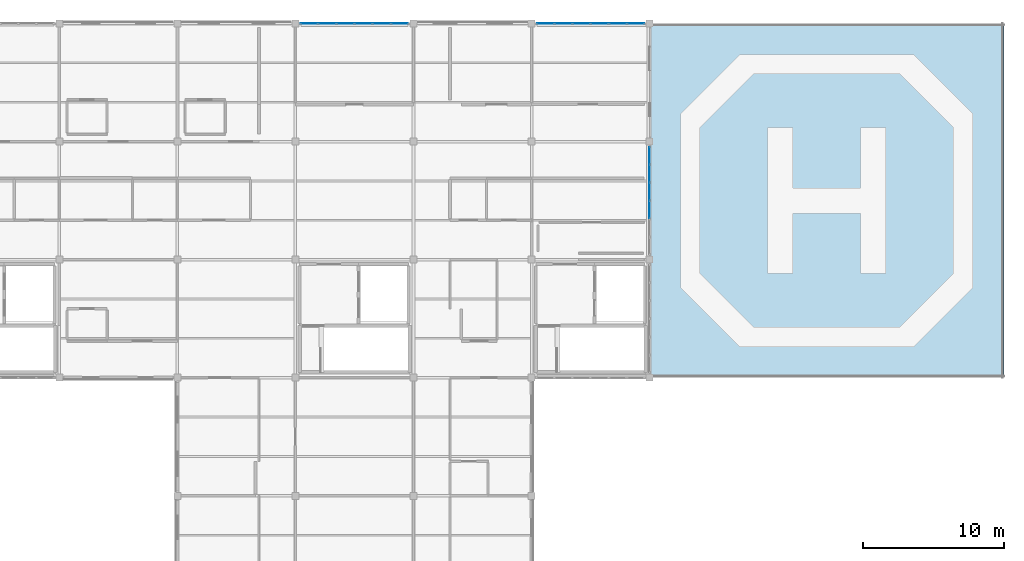
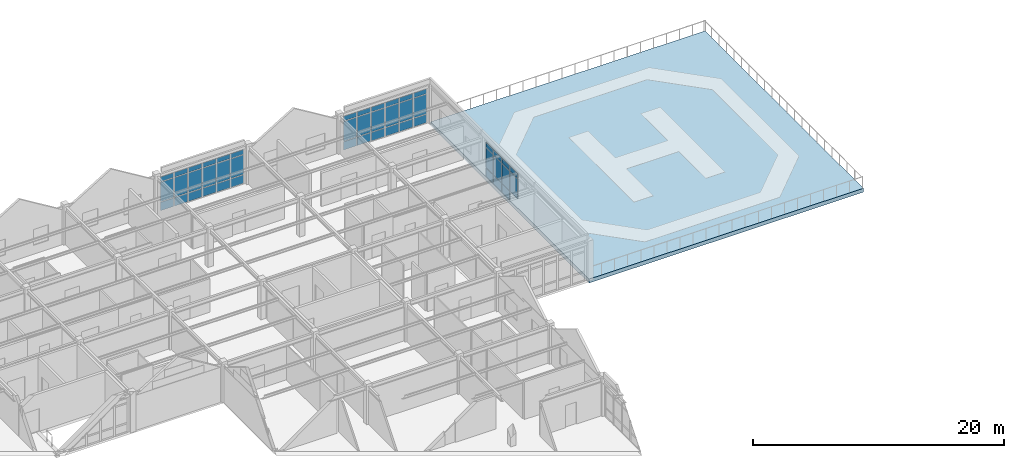
# One storey, part 31 of 45: 47 plates, 1 slab, 3 elements without a shape of their own.
"""IFC4 building model written with IfcOpenShell, lengths in metres."""

from ifc_helpers import new_model, si_unit, direction, frame, origin, origin_2d, place, context, subcontext, project, spatial, polyline, rectangle, outline, extrude, material, layer, layer_set, type_object, element, aggregate, save


model = new_model("IFC4")

# Units and contexts
model_context = context("Model", 3, precision=1e-05, world=origin(), true_north=direction((0.0, 1.0)))
body_context = subcontext(model_context, "Body", "Model", "MODEL_VIEW")
ifc_project = project(units=[si_unit("LENGTHUNIT", "METRE"), si_unit("AREAUNIT", "SQUARE_METRE"), si_unit("VOLUMEUNIT", "CUBIC_METRE"), si_unit("PLANEANGLEUNIT", "RADIAN"), si_unit("MASSUNIT", "GRAM", prefix="KILO")], contexts=[model_context])

# Site, building, storey
site_placement = place(None, origin())
site = spatial("IfcSite", under=ifc_project, at=site_placement, CompositionType="ELEMENT")
building_placement = place(site_placement, origin())
building = spatial("IfcBuilding", under=site, at=building_placement, Name="Bramfleet General Hospital", CompositionType="ELEMENT")
storey_placement = place(building_placement, frame((0.0, 0.0, 30.300048828125)))
storey = spatial("IfcBuildingStorey", under=building, at=storey_placement, Name="L07", CompositionType="ELEMENT", Elevation=30.300048828125)

# Curtain wall, plates
ifc_material_1 = material(Name="Anodised aluminium and low-E triple glazing", Category="aluminium")
ifc_layer_1 = layer(ifc_material_1, 0.179931640625, Name="CWT-CW-09")
ifc_layer_set_1 = layer_set([ifc_layer_1], Name="Anodised aluminium and low-E triple glazing")
curtain_wall_type_1 = type_object("IfcCurtainWallType", Name="CWT-CW-09", PredefinedType="USERDEFINED", material=ifc_layer_set_1)
curtain_wall_1_placement = place(storey_placement, origin())
curtain_wall_1 = element("IfcCurtainWall", 1, at=curtain_wall_1_placement, inside=storey, type_object=curtain_wall_type_1, Name="L07 Curtain Wall 225", ObjectType="Unitised curtain wall", PredefinedType="USERDEFINED")
ifc_material_2 = material(Name="Low-E laminated safety glass", Category="glass")
ifc_layer_2 = layer(ifc_material_2, 0.028076171875, Name="CWP-GLZ-1")
ifc_layer_set_2 = layer_set([ifc_layer_2], Name="Low-E laminated safety glass")
plate_type_1 = type_object("IfcPlateType", Name="CWP-GLZ-1", PredefinedType="CURTAIN_PANEL", material=ifc_layer_set_2)
plate_1_placement = place(storey_placement, frame((101.788330078125, 117.60009765625, 0.06494140625), z_axis=(0.0, 0.0, 1.0), x_axis=(1.0, 0.0, 0.0)))
plate_1 = element("IfcPlate", 2, at=plate_1_placement, type_object=plate_type_1, Name="CW-09 panel 1.1", PredefinedType="CURTAIN_PANEL", context=body_context, shape_type="SweptSolid", body=[
    extrude(rectangle(XDim=1.186767578125, YDim=0.028076171875, at=origin_2d()), origin(), (0.0, 0.0, 1.0), 0.802490234375),
])
plate_2_placement = place(storey_placement, frame((101.788330078125, 117.60009765625, 0.9326171875), z_axis=(0.0, 0.0, 1.0), x_axis=(1.0, 0.0, 0.0)))
plate_2 = element("IfcPlate", 3, at=plate_2_placement, type_object=plate_type_1, Name="CW-09 panel 1.2", PredefinedType="CURTAIN_PANEL", context=body_context, shape_type="SweptSolid", body=[
    extrude(rectangle(XDim=1.186767578125, YDim=0.028076171875, at=origin_2d()), origin(), (0.0, 0.0, 1.0), 1.885009765625),
])
plate_3_placement = place(storey_placement, frame((101.788330078125, 117.60009765625, 2.88232421875), z_axis=(0.0, 0.0, 1.0), x_axis=(1.0, 0.0, 0.0)))
plate_3 = element("IfcPlate", 4, at=plate_3_placement, type_object=plate_type_1, Name="CW-09 panel 1.3", PredefinedType="CURTAIN_PANEL", context=body_context, shape_type="SweptSolid", body=[
    extrude(rectangle(XDim=1.186767578125, YDim=0.028076171875, at=origin_2d()), origin(), (0.0, 0.0, 1.0), 0.452392578125),
])
plate_4_placement = place(storey_placement, frame((103.0625, 117.60009765625, 0.06494140625), z_axis=(0.0, 0.0, 1.0), x_axis=(1.0, 0.0, 0.0)))
plate_4 = element("IfcPlate", 5, at=plate_4_placement, type_object=plate_type_1, Name="CW-09 panel 2.1", PredefinedType="CURTAIN_PANEL", context=body_context, shape_type="SweptSolid", body=[
    extrude(rectangle(XDim=1.2216796875, YDim=0.028076171875, at=origin_2d()), origin(), (0.0, 0.0, 1.0), 0.802490234375),
])
plate_5_placement = place(storey_placement, frame((103.0625, 117.60009765625, 0.9326171875), z_axis=(0.0, 0.0, 1.0), x_axis=(1.0, 0.0, 0.0)))
plate_5 = element("IfcPlate", 6, at=plate_5_placement, type_object=plate_type_1, Name="CW-09 panel 2.2", PredefinedType="CURTAIN_PANEL", context=body_context, shape_type="SweptSolid", body=[
    extrude(rectangle(XDim=1.2216796875, YDim=0.028076171875, at=origin_2d()), origin(), (0.0, 0.0, 1.0), 1.885009765625),
])
plate_6_placement = place(storey_placement, frame((103.0625, 117.60009765625, 2.88232421875), z_axis=(0.0, 0.0, 1.0), x_axis=(1.0, 0.0, 0.0)))
plate_6 = element("IfcPlate", 7, at=plate_6_placement, type_object=plate_type_1, Name="CW-09 panel 2.3", PredefinedType="CURTAIN_PANEL", context=body_context, shape_type="SweptSolid", body=[
    extrude(rectangle(XDim=1.2216796875, YDim=0.028076171875, at=origin_2d()), origin(), (0.0, 0.0, 1.0), 0.452392578125),
])
plate_7_placement = place(storey_placement, frame((104.354248046875, 117.60009765625, 0.06494140625), z_axis=(0.0, 0.0, 1.0), x_axis=(1.0, 0.0, 0.0)))
plate_7 = element("IfcPlate", 8, at=plate_7_placement, type_object=plate_type_1, Name="CW-09 panel 3.1", PredefinedType="CURTAIN_PANEL", context=body_context, shape_type="SweptSolid", body=[
    extrude(rectangle(XDim=1.2216796875, YDim=0.028076171875, at=origin_2d()), origin(), (0.0, 0.0, 1.0), 0.802490234375),
])
plate_8_placement = place(storey_placement, frame((104.354248046875, 117.60009765625, 0.9326171875), z_axis=(0.0, 0.0, 1.0), x_axis=(1.0, 0.0, 0.0)))
plate_8 = element("IfcPlate", 9, at=plate_8_placement, type_object=plate_type_1, Name="CW-09 panel 3.2", PredefinedType="CURTAIN_PANEL", context=body_context, shape_type="SweptSolid", body=[
    extrude(rectangle(XDim=1.2216796875, YDim=0.028076171875, at=origin_2d()), origin(), (0.0, 0.0, 1.0), 1.885009765625),
])
plate_9_placement = place(storey_placement, frame((104.354248046875, 117.60009765625, 2.88232421875), z_axis=(0.0, 0.0, 1.0), x_axis=(1.0, 0.0, 0.0)))
plate_9 = element("IfcPlate", 10, at=plate_9_placement, type_object=plate_type_1, Name="CW-09 panel 3.3", PredefinedType="CURTAIN_PANEL", context=body_context, shape_type="SweptSolid", body=[
    extrude(rectangle(XDim=1.2216796875, YDim=0.028076171875, at=origin_2d()), origin(), (0.0, 0.0, 1.0), 0.452392578125),
])
plate_10_placement = place(storey_placement, frame((105.645751953125, 117.60009765625, 0.06494140625), z_axis=(0.0, 0.0, 1.0), x_axis=(1.0, 0.0, 0.0)))
plate_10 = element("IfcPlate", 11, at=plate_10_placement, type_object=plate_type_1, Name="CW-09 panel 4.1", PredefinedType="CURTAIN_PANEL", context=body_context, shape_type="SweptSolid", body=[
    extrude(rectangle(XDim=1.2216796875, YDim=0.028076171875, at=origin_2d()), origin(), (0.0, 0.0, 1.0), 0.802490234375),
])
plate_11_placement = place(storey_placement, frame((105.645751953125, 117.60009765625, 0.9326171875), z_axis=(0.0, 0.0, 1.0), x_axis=(1.0, 0.0, 0.0)))
plate_11 = element("IfcPlate", 12, at=plate_11_placement, type_object=plate_type_1, Name="CW-09 panel 4.2", PredefinedType="CURTAIN_PANEL", context=body_context, shape_type="SweptSolid", body=[
    extrude(rectangle(XDim=1.2216796875, YDim=0.028076171875, at=origin_2d()), origin(), (0.0, 0.0, 1.0), 1.885009765625),
])
plate_12_placement = place(storey_placement, frame((105.645751953125, 117.60009765625, 2.88232421875), z_axis=(0.0, 0.0, 1.0), x_axis=(1.0, 0.0, 0.0)))
plate_12 = element("IfcPlate", 13, at=plate_12_placement, type_object=plate_type_1, Name="CW-09 panel 4.3", PredefinedType="CURTAIN_PANEL", context=body_context, shape_type="SweptSolid", body=[
    extrude(rectangle(XDim=1.2216796875, YDim=0.028076171875, at=origin_2d()), origin(), (0.0, 0.0, 1.0), 0.452392578125),
])
plate_13_placement = place(storey_placement, frame((106.9375, 117.60009765625, 0.06494140625), z_axis=(0.0, 0.0, 1.0), x_axis=(1.0, 0.0, 0.0)))
plate_13 = element("IfcPlate", 14, at=plate_13_placement, type_object=plate_type_1, Name="CW-09 panel 5.1", PredefinedType="CURTAIN_PANEL", context=body_context, shape_type="SweptSolid", body=[
    extrude(rectangle(XDim=1.2216796875, YDim=0.028076171875, at=origin_2d()), origin(), (0.0, 0.0, 1.0), 0.802490234375),
])
plate_14_placement = place(storey_placement, frame((106.9375, 117.60009765625, 0.9326171875), z_axis=(0.0, 0.0, 1.0), x_axis=(1.0, 0.0, 0.0)))
plate_14 = element("IfcPlate", 15, at=plate_14_placement, type_object=plate_type_1, Name="CW-09 panel 5.2", PredefinedType="CURTAIN_PANEL", context=body_context, shape_type="SweptSolid", body=[
    extrude(rectangle(XDim=1.2216796875, YDim=0.028076171875, at=origin_2d()), origin(), (0.0, 0.0, 1.0), 1.885009765625),
])
plate_15_placement = place(storey_placement, frame((106.9375, 117.60009765625, 2.88232421875), z_axis=(0.0, 0.0, 1.0), x_axis=(1.0, 0.0, 0.0)))
plate_15 = element("IfcPlate", 16, at=plate_15_placement, type_object=plate_type_1, Name="CW-09 panel 5.3", PredefinedType="CURTAIN_PANEL", context=body_context, shape_type="SweptSolid", body=[
    extrude(rectangle(XDim=1.2216796875, YDim=0.028076171875, at=origin_2d()), origin(), (0.0, 0.0, 1.0), 0.452392578125),
])
plate_16_placement = place(storey_placement, frame((108.211669921875, 117.60009765625, 0.06494140625), z_axis=(0.0, 0.0, 1.0), x_axis=(1.0, 0.0, 0.0)))
plate_16 = element("IfcPlate", 17, at=plate_16_placement, type_object=plate_type_1, Name="CW-09 panel 6.1", PredefinedType="CURTAIN_PANEL", context=body_context, shape_type="SweptSolid", body=[
    extrude(rectangle(XDim=1.186767578125, YDim=0.028076171875, at=origin_2d()), origin(), (0.0, 0.0, 1.0), 0.802490234375),
])
plate_17_placement = place(storey_placement, frame((108.211669921875, 117.60009765625, 0.9326171875), z_axis=(0.0, 0.0, 1.0), x_axis=(1.0, 0.0, 0.0)))
plate_17 = element("IfcPlate", 18, at=plate_17_placement, type_object=plate_type_1, Name="CW-09 panel 6.2", PredefinedType="CURTAIN_PANEL", context=body_context, shape_type="SweptSolid", body=[
    extrude(rectangle(XDim=1.186767578125, YDim=0.028076171875, at=origin_2d()), origin(), (0.0, 0.0, 1.0), 1.885009765625),
])
plate_18_placement = place(storey_placement, frame((108.211669921875, 117.60009765625, 2.88232421875), z_axis=(0.0, 0.0, 1.0), x_axis=(1.0, 0.0, 0.0)))
plate_18 = element("IfcPlate", 19, at=plate_18_placement, type_object=plate_type_1, Name="CW-09 panel 6.3", PredefinedType="CURTAIN_PANEL", context=body_context, shape_type="SweptSolid", body=[
    extrude(rectangle(XDim=1.186767578125, YDim=0.028076171875, at=origin_2d()), origin(), (0.0, 0.0, 1.0), 0.452392578125),
])
aggregate(curtain_wall_1, [plate_1, plate_2, plate_3, plate_4, plate_5, plate_6, plate_7, plate_8, plate_9, plate_10, plate_11, plate_12, plate_13, plate_14, plate_15, plate_16, plate_17, plate_18])

ifc_layer_3 = layer(ifc_material_1, 0.179931640625, Name="CWT-CW-10")
ifc_layer_set_3 = layer_set([ifc_layer_3], Name="Anodised aluminium and low-E triple glazing")
curtain_wall_type_2 = type_object("IfcCurtainWallType", Name="CWT-CW-10", PredefinedType="USERDEFINED", material=ifc_layer_set_3)
curtain_wall_2_placement = place(storey_placement, origin())
curtain_wall_2 = element("IfcCurtainWall", 20, at=curtain_wall_2_placement, inside=storey, type_object=curtain_wall_type_2, Name="L07 Curtain Wall 226", ObjectType="Stick curtain wall", PredefinedType="USERDEFINED")
ifc_layer_4 = layer(ifc_material_2, 0.031982421875, Name="CWP-GLZ-2")
ifc_layer_set_4 = layer_set([ifc_layer_4], Name="Low-E laminated safety glass")
plate_type_2 = type_object("IfcPlateType", Name="CWP-GLZ-2", PredefinedType="CURTAIN_PANEL", material=ifc_layer_set_4)
plate_19_placement = place(storey_placement, frame((118.58837890625, 117.60009765625, 0.06494140625), z_axis=(0.0, 0.0, 1.0), x_axis=(1.0, 0.0, 0.0)))
plate_19 = element("IfcPlate", 21, at=plate_19_placement, type_object=plate_type_2, Name="CW-10 panel 1.1", PredefinedType="CURTAIN_PANEL", context=body_context, shape_type="SweptSolid", body=[
    extrude(rectangle(XDim=1.186767578125, YDim=0.031982421875, at=origin_2d()), origin(), (0.0, 0.0, 1.0), 0.802490234375),
])
plate_20_placement = place(storey_placement, frame((118.58837890625, 117.60009765625, 0.9326171875), z_axis=(0.0, 0.0, 1.0), x_axis=(1.0, 0.0, 0.0)))
plate_20 = element("IfcPlate", 22, at=plate_20_placement, type_object=plate_type_2, Name="CW-10 panel 1.2", PredefinedType="CURTAIN_PANEL", context=body_context, shape_type="SweptSolid", body=[
    extrude(rectangle(XDim=1.186767578125, YDim=0.031982421875, at=origin_2d()), origin(), (0.0, 0.0, 1.0), 1.885009765625),
])
plate_21_placement = place(storey_placement, frame((118.58837890625, 117.60009765625, 2.88232421875), z_axis=(0.0, 0.0, 1.0), x_axis=(1.0, 0.0, 0.0)))
plate_21 = element("IfcPlate", 23, at=plate_21_placement, type_object=plate_type_2, Name="CW-10 panel 1.3", PredefinedType="CURTAIN_PANEL", context=body_context, shape_type="SweptSolid", body=[
    extrude(rectangle(XDim=1.186767578125, YDim=0.031982421875, at=origin_2d()), origin(), (0.0, 0.0, 1.0), 0.452392578125),
])
plate_22_placement = place(storey_placement, frame((119.862548828125, 117.60009765625, 0.06494140625), z_axis=(0.0, 0.0, 1.0), x_axis=(1.0, 0.0, 0.0)))
plate_22 = element("IfcPlate", 24, at=plate_22_placement, type_object=plate_type_2, Name="CW-10 panel 2.1", PredefinedType="CURTAIN_PANEL", context=body_context, shape_type="SweptSolid", body=[
    extrude(rectangle(XDim=1.2216796875, YDim=0.031982421875, at=origin_2d()), origin(), (0.0, 0.0, 1.0), 0.802490234375),
])
plate_23_placement = place(storey_placement, frame((119.862548828125, 117.60009765625, 0.9326171875), z_axis=(0.0, 0.0, 1.0), x_axis=(1.0, 0.0, 0.0)))
plate_23 = element("IfcPlate", 25, at=plate_23_placement, type_object=plate_type_2, Name="CW-10 panel 2.2", PredefinedType="CURTAIN_PANEL", context=body_context, shape_type="SweptSolid", body=[
    extrude(rectangle(XDim=1.2216796875, YDim=0.031982421875, at=origin_2d()), origin(), (0.0, 0.0, 1.0), 1.885009765625),
])
plate_24_placement = place(storey_placement, frame((119.862548828125, 117.60009765625, 2.88232421875), z_axis=(0.0, 0.0, 1.0), x_axis=(1.0, 0.0, 0.0)))
plate_24 = element("IfcPlate", 26, at=plate_24_placement, type_object=plate_type_2, Name="CW-10 panel 2.3", PredefinedType="CURTAIN_PANEL", context=body_context, shape_type="SweptSolid", body=[
    extrude(rectangle(XDim=1.2216796875, YDim=0.031982421875, at=origin_2d()), origin(), (0.0, 0.0, 1.0), 0.452392578125),
])
plate_25_placement = place(storey_placement, frame((121.154052734375, 117.60009765625, 0.06494140625), z_axis=(0.0, 0.0, 1.0), x_axis=(1.0, 0.0, 0.0)))
plate_25 = element("IfcPlate", 27, at=plate_25_placement, type_object=plate_type_2, Name="CW-10 panel 3.1", PredefinedType="CURTAIN_PANEL", context=body_context, shape_type="SweptSolid", body=[
    extrude(rectangle(XDim=1.2216796875, YDim=0.031982421875, at=origin_2d()), origin(), (0.0, 0.0, 1.0), 0.802490234375),
])
plate_26_placement = place(storey_placement, frame((121.154052734375, 117.60009765625, 0.9326171875), z_axis=(0.0, 0.0, 1.0), x_axis=(1.0, 0.0, 0.0)))
plate_26 = element("IfcPlate", 28, at=plate_26_placement, type_object=plate_type_2, Name="CW-10 panel 3.2", PredefinedType="CURTAIN_PANEL", context=body_context, shape_type="SweptSolid", body=[
    extrude(rectangle(XDim=1.2216796875, YDim=0.031982421875, at=origin_2d()), origin(), (0.0, 0.0, 1.0), 1.885009765625),
])
plate_27_placement = place(storey_placement, frame((121.154052734375, 117.60009765625, 2.88232421875), z_axis=(0.0, 0.0, 1.0), x_axis=(1.0, 0.0, 0.0)))
plate_27 = element("IfcPlate", 29, at=plate_27_placement, type_object=plate_type_2, Name="CW-10 panel 3.3", PredefinedType="CURTAIN_PANEL", context=body_context, shape_type="SweptSolid", body=[
    extrude(rectangle(XDim=1.2216796875, YDim=0.031982421875, at=origin_2d()), origin(), (0.0, 0.0, 1.0), 0.452392578125),
])
plate_28_placement = place(storey_placement, frame((122.44580078125, 117.60009765625, 0.06494140625), z_axis=(0.0, 0.0, 1.0), x_axis=(1.0, 0.0, 0.0)))
plate_28 = element("IfcPlate", 30, at=plate_28_placement, type_object=plate_type_2, Name="CW-10 panel 4.1", PredefinedType="CURTAIN_PANEL", context=body_context, shape_type="SweptSolid", body=[
    extrude(rectangle(XDim=1.2216796875, YDim=0.031982421875, at=origin_2d()), origin(), (0.0, 0.0, 1.0), 0.802490234375),
])
plate_29_placement = place(storey_placement, frame((122.44580078125, 117.60009765625, 0.9326171875), z_axis=(0.0, 0.0, 1.0), x_axis=(1.0, 0.0, 0.0)))
plate_29 = element("IfcPlate", 31, at=plate_29_placement, type_object=plate_type_2, Name="CW-10 panel 4.2", PredefinedType="CURTAIN_PANEL", context=body_context, shape_type="SweptSolid", body=[
    extrude(rectangle(XDim=1.2216796875, YDim=0.031982421875, at=origin_2d()), origin(), (0.0, 0.0, 1.0), 1.885009765625),
])
plate_30_placement = place(storey_placement, frame((122.44580078125, 117.60009765625, 2.88232421875), z_axis=(0.0, 0.0, 1.0), x_axis=(1.0, 0.0, 0.0)))
plate_30 = element("IfcPlate", 32, at=plate_30_placement, type_object=plate_type_2, Name="CW-10 panel 4.3", PredefinedType="CURTAIN_PANEL", context=body_context, shape_type="SweptSolid", body=[
    extrude(rectangle(XDim=1.2216796875, YDim=0.031982421875, at=origin_2d()), origin(), (0.0, 0.0, 1.0), 0.452392578125),
])
plate_31_placement = place(storey_placement, frame((123.737548828125, 117.60009765625, 0.06494140625), z_axis=(0.0, 0.0, 1.0), x_axis=(1.0, 0.0, 0.0)))
plate_31 = element("IfcPlate", 33, at=plate_31_placement, type_object=plate_type_2, Name="CW-10 panel 5.1", PredefinedType="CURTAIN_PANEL", context=body_context, shape_type="SweptSolid", body=[
    extrude(rectangle(XDim=1.2216796875, YDim=0.031982421875, at=origin_2d()), origin(), (0.0, 0.0, 1.0), 0.802490234375),
])
plate_32_placement = place(storey_placement, frame((123.737548828125, 117.60009765625, 0.9326171875), z_axis=(0.0, 0.0, 1.0), x_axis=(1.0, 0.0, 0.0)))
plate_32 = element("IfcPlate", 34, at=plate_32_placement, type_object=plate_type_2, Name="CW-10 panel 5.2", PredefinedType="CURTAIN_PANEL", context=body_context, shape_type="SweptSolid", body=[
    extrude(rectangle(XDim=1.2216796875, YDim=0.031982421875, at=origin_2d()), origin(), (0.0, 0.0, 1.0), 1.885009765625),
])
plate_33_placement = place(storey_placement, frame((123.737548828125, 117.60009765625, 2.88232421875), z_axis=(0.0, 0.0, 1.0), x_axis=(1.0, 0.0, 0.0)))
plate_33 = element("IfcPlate", 35, at=plate_33_placement, type_object=plate_type_2, Name="CW-10 panel 5.3", PredefinedType="CURTAIN_PANEL", context=body_context, shape_type="SweptSolid", body=[
    extrude(rectangle(XDim=1.2216796875, YDim=0.031982421875, at=origin_2d()), origin(), (0.0, 0.0, 1.0), 0.452392578125),
])
plate_34_placement = place(storey_placement, frame((125.01171875, 117.60009765625, 0.06494140625), z_axis=(0.0, 0.0, 1.0), x_axis=(1.0, 0.0, 0.0)))
plate_34 = element("IfcPlate", 36, at=plate_34_placement, type_object=plate_type_2, Name="CW-10 panel 6.1", PredefinedType="CURTAIN_PANEL", context=body_context, shape_type="SweptSolid", body=[
    extrude(rectangle(XDim=1.186767578125, YDim=0.031982421875, at=origin_2d()), origin(), (0.0, 0.0, 1.0), 0.802490234375),
])
plate_35_placement = place(storey_placement, frame((125.01171875, 117.60009765625, 0.9326171875), z_axis=(0.0, 0.0, 1.0), x_axis=(1.0, 0.0, 0.0)))
plate_35 = element("IfcPlate", 37, at=plate_35_placement, type_object=plate_type_2, Name="CW-10 panel 6.2", PredefinedType="CURTAIN_PANEL", context=body_context, shape_type="SweptSolid", body=[
    extrude(rectangle(XDim=1.186767578125, YDim=0.031982421875, at=origin_2d()), origin(), (0.0, 0.0, 1.0), 1.885009765625),
])
plate_36_placement = place(storey_placement, frame((125.01171875, 117.60009765625, 2.88232421875), z_axis=(0.0, 0.0, 1.0), x_axis=(1.0, 0.0, 0.0)))
plate_36 = element("IfcPlate", 38, at=plate_36_placement, type_object=plate_type_2, Name="CW-10 panel 6.3", PredefinedType="CURTAIN_PANEL", context=body_context, shape_type="SweptSolid", body=[
    extrude(rectangle(XDim=1.186767578125, YDim=0.031982421875, at=origin_2d()), origin(), (0.0, 0.0, 1.0), 0.452392578125),
])
aggregate(curtain_wall_2, [plate_19, plate_20, plate_21, plate_22, plate_23, plate_24, plate_25, plate_26, plate_27, plate_28, plate_29, plate_30, plate_31, plate_32, plate_33, plate_34, plate_35, plate_36])

ifc_layer_5 = layer(ifc_material_1, 0.179931640625, Name="CWT-CW-11")
ifc_layer_set_5 = layer_set([ifc_layer_5], Name="Anodised aluminium and low-E triple glazing")
curtain_wall_type_3 = type_object("IfcCurtainWallType", Name="CWT-CW-11", PredefinedType="USERDEFINED", material=ifc_layer_set_5)
curtain_wall_3_placement = place(storey_placement, origin())
curtain_wall_3 = element("IfcCurtainWall", 39, at=curtain_wall_3_placement, inside=storey, type_object=curtain_wall_type_3, Name="L07 Curtain Wall 227", ObjectType="Stick curtain wall", PredefinedType="USERDEFINED")
ifc_layer_6 = layer(ifc_material_2, 0.035888671875, Name="CWP-GLZ-3")
ifc_layer_set_6 = layer_set([ifc_layer_6], Name="Low-E laminated safety glass")
plate_type_3 = type_object("IfcPlateType", Name="CWP-GLZ-3", PredefinedType="CURTAIN_PANEL", material=ifc_layer_set_6)
plate_37_placement = place(storey_placement, frame((126.0, 108.211669921875, 0.06494140625), z_axis=(0.0, 0.0, 1.0), x_axis=(0.0, -1.0, 0.0)))
plate_37 = element("IfcPlate", 40, at=plate_37_placement, type_object=plate_type_3, Name="CW-11 panel 1.1", PredefinedType="CURTAIN_PANEL", context=body_context, shape_type="SweptSolid", body=[
    extrude(rectangle(XDim=1.186767578125, YDim=0.035888671875, at=origin_2d()), origin(), (0.0, 0.0, 1.0), 0.802490234375),
])
plate_38_placement = place(storey_placement, frame((126.0, 108.211669921875, 0.9326171875), z_axis=(0.0, 0.0, 1.0), x_axis=(0.0, -1.0, 0.0)))
plate_38 = element("IfcPlate", 41, at=plate_38_placement, type_object=plate_type_3, Name="CW-11 panel 1.2", PredefinedType="CURTAIN_PANEL", context=body_context, shape_type="SweptSolid", body=[
    extrude(rectangle(XDim=1.186767578125, YDim=0.035888671875, at=origin_2d()), origin(), (0.0, 0.0, 1.0), 1.905029296875),
])
plate_39_placement = place(storey_placement, frame((126.0, 108.211669921875, 2.90234375), z_axis=(0.0, 0.0, 1.0), x_axis=(0.0, -1.0, 0.0)))
plate_39 = element("IfcPlate", 42, at=plate_39_placement, type_object=plate_type_3, Name="CW-11 panel 1.3", PredefinedType="CURTAIN_PANEL", context=body_context, shape_type="SweptSolid", body=[
    extrude(rectangle(XDim=1.186767578125, YDim=0.035888671875, at=origin_2d()), origin(), (0.0, 0.0, 1.0), 0.452392578125),
])
plate_40_placement = place(storey_placement, frame((126.0, 106.9375, 0.06494140625), z_axis=(0.0, 0.0, 1.0), x_axis=(0.0, -1.0, 0.0)))
plate_40 = element("IfcPlate", 43, at=plate_40_placement, type_object=plate_type_3, Name="CW-11 panel 2.1", PredefinedType="CURTAIN_PANEL", context=body_context, shape_type="SweptSolid", body=[
    extrude(rectangle(XDim=1.2216796875, YDim=0.035888671875, at=origin_2d()), origin(), (0.0, 0.0, 1.0), 0.802490234375),
])
plate_41_placement = place(storey_placement, frame((126.0, 106.9375, 0.9326171875), z_axis=(0.0, 0.0, 1.0), x_axis=(0.0, -1.0, 0.0)))
plate_41 = element("IfcPlate", 44, at=plate_41_placement, type_object=plate_type_3, Name="CW-11 panel 2.2", PredefinedType="CURTAIN_PANEL", context=body_context, shape_type="SweptSolid", body=[
    extrude(rectangle(XDim=1.2216796875, YDim=0.035888671875, at=origin_2d()), origin(), (0.0, 0.0, 1.0), 1.905029296875),
])
plate_42_placement = place(storey_placement, frame((126.0, 106.9375, 2.90234375), z_axis=(0.0, 0.0, 1.0), x_axis=(0.0, -1.0, 0.0)))
plate_42 = element("IfcPlate", 45, at=plate_42_placement, type_object=plate_type_3, Name="CW-11 panel 2.3", PredefinedType="CURTAIN_PANEL", context=body_context, shape_type="SweptSolid", body=[
    extrude(rectangle(XDim=1.2216796875, YDim=0.035888671875, at=origin_2d()), origin(), (0.0, 0.0, 1.0), 0.452392578125),
])
plate_43_placement = place(storey_placement, frame((126.0, 105.645751953125, 0.06494140625), z_axis=(0.0, 0.0, 1.0), x_axis=(0.0, -1.0, 0.0)))
plate_43 = element("IfcPlate", 46, at=plate_43_placement, type_object=plate_type_3, Name="CW-11 panel 3.1", PredefinedType="CURTAIN_PANEL", context=body_context, shape_type="SweptSolid", body=[
    extrude(rectangle(XDim=1.2216796875, YDim=0.035888671875, at=origin_2d()), origin(), (0.0, 0.0, 1.0), 0.802490234375),
])
plate_44_placement = place(storey_placement, frame((126.0, 105.645751953125, 0.9326171875), z_axis=(0.0, 0.0, 1.0), x_axis=(0.0, -1.0, 0.0)))
plate_44 = element("IfcPlate", 47, at=plate_44_placement, type_object=plate_type_3, Name="CW-11 panel 3.2", PredefinedType="CURTAIN_PANEL", context=body_context, shape_type="SweptSolid", body=[
    extrude(rectangle(XDim=1.2216796875, YDim=0.035888671875, at=origin_2d()), origin(), (0.0, 0.0, 1.0), 1.905029296875),
])
plate_45_placement = place(storey_placement, frame((126.0, 105.645751953125, 2.90234375), z_axis=(0.0, 0.0, 1.0), x_axis=(0.0, -1.0, 0.0)))
plate_45 = element("IfcPlate", 48, at=plate_45_placement, type_object=plate_type_3, Name="CW-11 panel 3.3", PredefinedType="CURTAIN_PANEL", context=body_context, shape_type="SweptSolid", body=[
    extrude(rectangle(XDim=1.2216796875, YDim=0.035888671875, at=origin_2d()), origin(), (0.0, 0.0, 1.0), 0.452392578125),
])
plate_46_placement = place(storey_placement, frame((126.0, 104.354248046875, 0.9326171875), z_axis=(0.0, 0.0, 1.0), x_axis=(0.0, -1.0, 0.0)))
plate_46 = element("IfcPlate", 49, at=plate_46_placement, type_object=plate_type_3, Name="CW-11 panel 4.2", PredefinedType="CURTAIN_PANEL", context=body_context, shape_type="SweptSolid", body=[
    extrude(rectangle(XDim=1.2216796875, YDim=0.035888671875, at=origin_2d()), origin(), (0.0, 0.0, 1.0), 1.905029296875),
])
plate_47_placement = place(storey_placement, frame((126.0, 104.354248046875, 2.90234375), z_axis=(0.0, 0.0, 1.0), x_axis=(0.0, -1.0, 0.0)))
plate_47 = element("IfcPlate", 50, at=plate_47_placement, type_object=plate_type_3, Name="CW-11 panel 4.3", PredefinedType="CURTAIN_PANEL", context=body_context, shape_type="SweptSolid", body=[
    extrude(rectangle(XDim=1.2216796875, YDim=0.035888671875, at=origin_2d()), origin(), (0.0, 0.0, 1.0), 0.452392578125),
])
aggregate(curtain_wall_3, [plate_37, plate_38, plate_39, plate_40, plate_41, plate_42, plate_43, plate_44, plate_45, plate_46, plate_47])

# Slab
ifc_material_3 = material(Name="Concrete C40/50", Category="concrete")
ifc_layer_7 = layer(ifc_material_3, 0.3798828125, Name="SL-HELI-380")
ifc_layer_set_7 = layer_set([ifc_layer_7], Name="Concrete C40/50")
slab_type = type_object("IfcSlabType", Name="SL-HELI-380", PredefinedType="FLOOR", material=ifc_layer_set_7)
slab_placement = place(storey_placement, frame((0.0, 0.0, -0.380126953125)))
element("IfcSlab", 51, at=slab_placement, inside=storey, type_object=slab_type, Name="L07 Rooftop Rescue Helipad Deck", PredefinedType="FLOOR", context=body_context, shape_type="SweptSolid", body=[
    extrude(outline(polyline([(126.0, 92.39990234375), (151.199951171875, 92.39990234375), (151.199951171875, 117.60009765625), (126.0, 117.60009765625), (126.0, 92.39990234375)])), origin(), (0.0, 0.0, 1.0), 0.380126953125),
])

save(model, "model.ifc")
